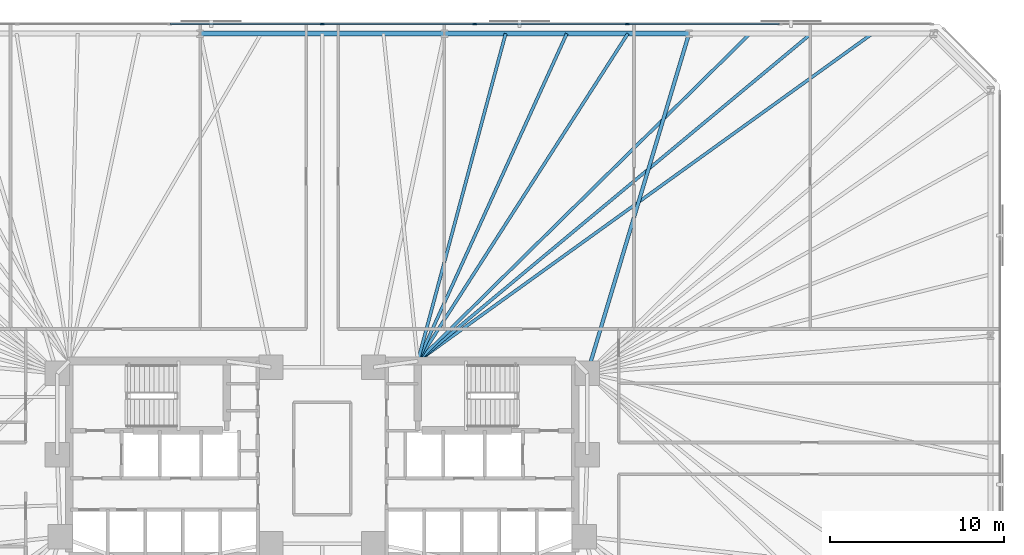
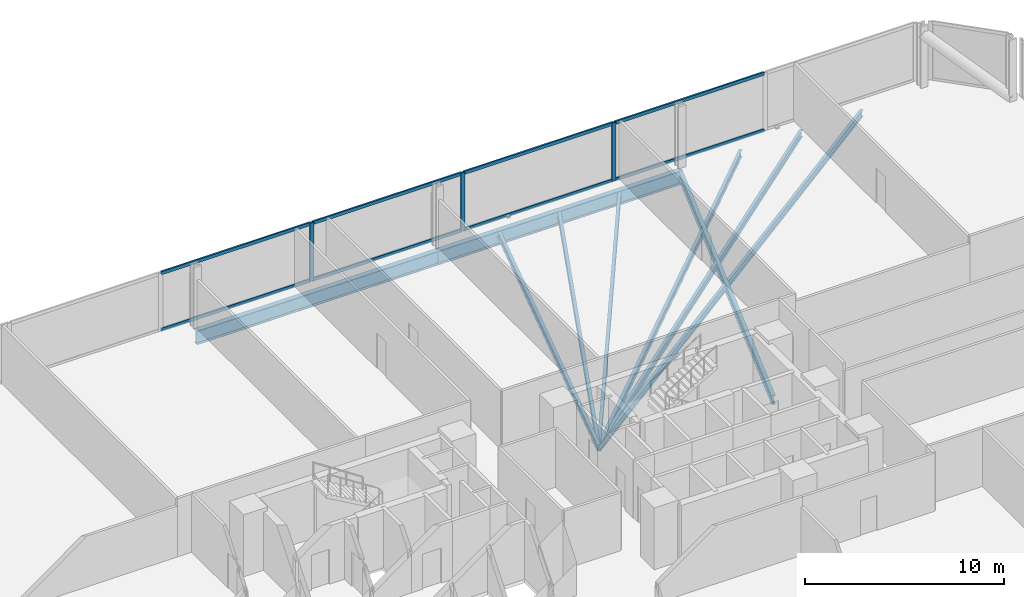
# One storey, part 9 of 17: 11 members, 9 beams, 1 element without a shape of its own.
"""IFC4 building model written with IfcOpenShell, lengths in metres."""

from ifc_helpers import new_model, si_unit, direction, frame, origin, origin_2d, place, context, subcontext, project, spatial, rectangle, i_section, extrude, material, material_profile, profile_set, type_object, element, aggregate, save


model = new_model("IFC4")

# Units and contexts
model_context = context("Model", 3, precision=1e-05, world=origin(), true_north=direction((0.0, 1.0)))
body_context = subcontext(model_context, "Body", "Model", "MODEL_VIEW")
ifc_project = project(units=[si_unit("LENGTHUNIT", "METRE"), si_unit("AREAUNIT", "SQUARE_METRE"), si_unit("VOLUMEUNIT", "CUBIC_METRE"), si_unit("PLANEANGLEUNIT", "RADIAN"), si_unit("MASSUNIT", "GRAM", prefix="KILO")], contexts=[model_context])

# Site, building, storey
site_placement = place(None, origin())
site = spatial("IfcSite", under=ifc_project, at=site_placement, CompositionType="ELEMENT")
building_placement = place(site_placement, origin())
building = spatial("IfcBuilding", under=site, at=building_placement, Name="Menara Jurai Vektor", CompositionType="ELEMENT")
storey_placement = place(building_placement, frame((0.0, 0.0, 52.199951171875)))
storey = spatial("IfcBuildingStorey", under=building, at=storey_placement, Name="L12", CompositionType="ELEMENT", Elevation=52.199951171875)

# Curtain wall, members
ifc_material_1 = material(Name="Anodised Pale Aluminium & Low-E Double Glazing", Category="aluminium")
curtain_wall_type = type_object("IfcCurtainWallType", Name="CW-BLK1", PredefinedType="NOTDEFINED", material=ifc_material_1)
curtain_wall_placement = place(storey_placement, origin())
curtain_wall = element("IfcCurtainWall", 1, at=curtain_wall_placement, inside=storey, type_object=curtain_wall_type, Name="Unitised Curtain Wall L12 F05", PredefinedType="NOTDEFINED")
ifc_material_2 = material(Name="Anodised Pale Aluminium Mullion", Category="aluminium")
ifc_material_profile_1 = material_profile(ifc_material_2, rectangle(XDim=0.094970703125, YDim=0.239990234375, at=origin_2d()), Name="ALU MUL 95x240")
ifc_profile_set_1 = profile_set([ifc_material_profile_1], Name="Anodised Pale Aluminium Mullion")
member_type_1 = type_object("IfcMemberType", Name="CW-BLK1-MUL", PredefinedType="MULLION", material=ifc_profile_set_1)
member_1_placement = place(storey_placement, frame((17.56005859375, 25.0, 0.0), z_axis=(0.0, 0.0, 1.0), x_axis=(0.0, -1.0, 0.0)))
member_1 = element("IfcMember", 2, at=member_1_placement, type_object=member_type_1, Name="CW-01 mullion 3", PredefinedType="MULLION", context=body_context, shape_type="SweptSolid", body=[
    extrude(rectangle(XDim=0.094970703125, YDim=0.239990234375, at=origin_2d()), origin(), (0.0, 0.0, 1.0), 3.574951171875),
])
member_2_placement = place(storey_placement, frame((8.780029296875, 25.0, 0.0), z_axis=(0.0, 0.0, 1.0), x_axis=(0.0, -1.0, 0.0)))
member_2 = element("IfcMember", 3, at=member_2_placement, type_object=member_type_1, Name="CW-01 mullion 4", PredefinedType="MULLION", context=body_context, shape_type="SweptSolid", body=[
    extrude(rectangle(XDim=0.094970703125, YDim=0.239990234375, at=origin_2d()), origin(), (0.0, 0.0, 1.0), 3.574951171875),
])
member_3_placement = place(storey_placement, frame((0.0, 25.0, 0.0), z_axis=(0.0, 0.0, 1.0), x_axis=(0.0, -1.0, 0.0)))
member_3 = element("IfcMember", 4, at=member_3_placement, type_object=member_type_1, Name="CW-01 mullion 5", PredefinedType="MULLION", context=body_context, shape_type="SweptSolid", body=[
    extrude(rectangle(XDim=0.094970703125, YDim=0.239990234375, at=origin_2d()), origin(), (0.0, 0.0, 1.0), 3.574951171875),
])
ifc_material_3 = material(Name="Anodised Pale Aluminium Transom", Category="aluminium")
ifc_material_profile_2 = material_profile(ifc_material_3, rectangle(XDim=0.094970703125, YDim=0.199951171875, at=origin_2d()), Name="ALU TRN 95x200")
ifc_profile_set_2 = profile_set([ifc_material_profile_2], Name="Anodised Pale Aluminium Transom")
member_type_2 = type_object("IfcMemberType", Name="CW-BLK1-TRN", PredefinedType="USERDEFINED", material=ifc_profile_set_2)
member_4_placement = place(storey_placement, frame((26.29248046875, 25.0, 0.047607421875), z_axis=(-1.0, 0.0, 0.0), x_axis=(0.0, -1.0, 0.0)))
member_4 = element("IfcMember", 5, at=member_4_placement, type_object=member_type_2, Name="CW-01 transom 2.1", ObjectType="TRANSOM", PredefinedType="USERDEFINED", context=body_context, shape_type="SweptSolid", body=[
    extrude(rectangle(XDim=0.094970703125, YDim=0.199951171875, at=origin_2d()), origin(), (0.0, 0.0, 1.0), 8.68505859375),
])
member_5_placement = place(storey_placement, frame((26.29248046875, 25.0, 3.527587890625), z_axis=(-1.0, 0.0, 0.0), x_axis=(0.0, -1.0, 0.0)))
member_5 = element("IfcMember", 6, at=member_5_placement, type_object=member_type_2, Name="CW-01 transom 2.2", ObjectType="TRANSOM", PredefinedType="USERDEFINED", context=body_context, shape_type="SweptSolid", body=[
    extrude(rectangle(XDim=0.094970703125, YDim=0.199951171875, at=origin_2d()), origin(), (0.0, 0.0, 1.0), 8.68505859375),
])
member_6_placement = place(storey_placement, frame((17.512451171875, 25.0, 0.047607421875), z_axis=(-1.0, 0.0, 0.0), x_axis=(0.0, -1.0, 0.0)))
member_6 = element("IfcMember", 7, at=member_6_placement, type_object=member_type_2, Name="CW-01 transom 3.1", ObjectType="TRANSOM", PredefinedType="USERDEFINED", context=body_context, shape_type="SweptSolid", body=[
    extrude(rectangle(XDim=0.094970703125, YDim=0.199951171875, at=origin_2d()), origin(), (0.0, 0.0, 1.0), 8.68505859375),
])
member_7_placement = place(storey_placement, frame((17.512451171875, 25.0, 3.527587890625), z_axis=(-1.0, 0.0, 0.0), x_axis=(0.0, -1.0, 0.0)))
member_7 = element("IfcMember", 8, at=member_7_placement, type_object=member_type_2, Name="CW-01 transom 3.2", ObjectType="TRANSOM", PredefinedType="USERDEFINED", context=body_context, shape_type="SweptSolid", body=[
    extrude(rectangle(XDim=0.094970703125, YDim=0.199951171875, at=origin_2d()), origin(), (0.0, 0.0, 1.0), 8.68505859375),
])
member_8_placement = place(storey_placement, frame((8.732421875, 25.0, 0.047607421875), z_axis=(-1.0, 0.0, 0.0), x_axis=(0.0, -1.0, 0.0)))
member_8 = element("IfcMember", 9, at=member_8_placement, type_object=member_type_2, Name="CW-01 transom 4.1", ObjectType="TRANSOM", PredefinedType="USERDEFINED", context=body_context, shape_type="SweptSolid", body=[
    extrude(rectangle(XDim=0.094970703125, YDim=0.199951171875, at=origin_2d()), origin(), (0.0, 0.0, 1.0), 8.684814453125),
])
member_9_placement = place(storey_placement, frame((8.732421875, 25.0, 3.527587890625), z_axis=(-1.0, 0.0, 0.0), x_axis=(0.0, -1.0, 0.0)))
member_9 = element("IfcMember", 10, at=member_9_placement, type_object=member_type_2, Name="CW-01 transom 4.2", ObjectType="TRANSOM", PredefinedType="USERDEFINED", context=body_context, shape_type="SweptSolid", body=[
    extrude(rectangle(XDim=0.094970703125, YDim=0.199951171875, at=origin_2d()), origin(), (0.0, 0.0, 1.0), 8.684814453125),
])
member_10_placement = place(storey_placement, frame((-0.047607421875, 25.0, 0.047607421875), z_axis=(-1.0, 0.0, 0.0), x_axis=(0.0, -1.0, 0.0)))
member_10 = element("IfcMember", 11, at=member_10_placement, type_object=member_type_2, Name="CW-01 transom 5.1", ObjectType="TRANSOM", PredefinedType="USERDEFINED", context=body_context, shape_type="SweptSolid", body=[
    extrude(rectangle(XDim=0.094970703125, YDim=0.199951171875, at=origin_2d()), origin(), (0.0, 0.0, 1.0), 8.684814453125),
])
member_11_placement = place(storey_placement, frame((-0.047607421875, 25.0, 3.527587890625), z_axis=(-1.0, 0.0, 0.0), x_axis=(0.0, -1.0, 0.0)))
member_11 = element("IfcMember", 12, at=member_11_placement, type_object=member_type_2, Name="CW-01 transom 5.2", ObjectType="TRANSOM", PredefinedType="USERDEFINED", context=body_context, shape_type="SweptSolid", body=[
    extrude(rectangle(XDim=0.094970703125, YDim=0.199951171875, at=origin_2d()), origin(), (0.0, 0.0, 1.0), 8.684814453125),
])
aggregate(curtain_wall, [member_1, member_2, member_3, member_4, member_5, member_6, member_7, member_8, member_9, member_10, member_11])

# Beams
ifc_material_4 = material(Name="Steel S355", Category="steel")
ifc_material_profile_3 = material_profile(ifc_material_4, i_section(OverallWidth=0.2109375, OverallDepth=0.5390625, WebThickness=0.011962890625, FlangeThickness=0.01904296875, FilletRadius=0.012939453125, at=origin_2d()), Name="UKB 533x210x109")
ifc_profile_set_3 = profile_set([ifc_material_profile_3], Name="Steel S355")
beam_type_1 = type_object("IfcBeamType", Name="STR-BM-533", PredefinedType="BEAM", material=ifc_profile_set_3)
beam_1_placement = place(storey_placement, frame((21.106689453125, 24.449951171875, -0.494384765625), z_axis=(-0.286973617166, -0.957938486047, 0.0), x_axis=(0.957938486047, -0.286973617166, 0.0)))
element("IfcBeam", 13, at=beam_1_placement, inside=storey, type_object=beam_type_1, Name="Radial Floor Girder L12-N2", PredefinedType="BEAM", context=body_context, shape_type="SweptSolid", body=[
    extrude(i_section(OverallWidth=0.2109375, OverallDepth=0.5390625, WebThickness=0.011962890625, FlangeThickness=0.01904296875, FilletRadius=0.012939453125, at=origin_2d()), origin(), (0.0, 0.0, 1.0), 20.408447265625),
])
ifc_material_profile_4 = material_profile(ifc_material_4, i_section(OverallWidth=0.178955078125, OverallDepth=0.408935546875, WebThickness=0.009033203125, FlangeThickness=0.013916015625, FilletRadius=0.010009765625, at=origin_2d()), Name="UKB 406x178x67")
ifc_profile_set_4 = profile_set([ifc_material_profile_4], Name="Steel S355")
beam_type_2 = type_object("IfcBeamType", Name="STR-JS-406", PredefinedType="JOIST", material=ifc_profile_set_4)
beam_2_placement = place(storey_placement, frame((31.659912109375, 24.449951171875, -0.429443359375), z_axis=(-0.81131785733, -0.584605280833, 0.0), x_axis=(0.584605280833, -0.81131785733, 0.0)))
element("IfcBeam", 14, at=beam_2_placement, inside=storey, type_object=beam_type_2, Name="Radial Secondary Floor Joist L12-JS16", PredefinedType="JOIST", context=body_context, shape_type="SweptSolid", body=[
    extrude(i_section(OverallWidth=0.178955078125, OverallDepth=0.408935546875, WebThickness=0.009033203125, FlangeThickness=0.013916015625, FilletRadius=0.010009765625, at=origin_2d()), origin(), (0.0, 0.0, 1.0), 32.24365234375),
])
beam_3_placement = place(storey_placement, frame((28.142333984375, 24.449951171875, -0.429443359375), z_axis=(-0.76853431665, -0.639808568347, 0.0), x_axis=(0.639808568347, -0.76853431665, 0.0)))
element("IfcBeam", 15, at=beam_3_placement, inside=storey, type_object=beam_type_2, Name="Radial Secondary Floor Joist L12-JS17", PredefinedType="JOIST", context=body_context, shape_type="SweptSolid", body=[
    extrude(i_section(OverallWidth=0.178955078125, OverallDepth=0.408935546875, WebThickness=0.009033203125, FlangeThickness=0.013916015625, FilletRadius=0.010009765625, at=origin_2d()), origin(), (0.0, 0.0, 1.0), 29.461669921875),
])
beam_4_placement = place(storey_placement, frame((24.62451171875, 24.449951171875, -0.429443359375), z_axis=(-0.712202462998, -0.70197411042, 0.0), x_axis=(0.70197411042, -0.712202462998, 0.0)))
element("IfcBeam", 16, at=beam_4_placement, inside=storey, type_object=beam_type_2, Name="Radial Secondary Floor Joist L12-JS18", PredefinedType="JOIST", context=body_context, shape_type="SweptSolid", body=[
    extrude(i_section(OverallWidth=0.178955078125, OverallDepth=0.408935546875, WebThickness=0.009033203125, FlangeThickness=0.013916015625, FilletRadius=0.010009765625, at=origin_2d()), origin(), (0.0, 0.0, 1.0), 26.8525390625),
])
beam_5_placement = place(storey_placement, frame((17.5888671875, 24.449951171875, -0.429443359375), z_axis=(-0.53984422461, -0.841764939372, 0.0), x_axis=(0.841764939372, -0.53984422461, 0.0)))
element("IfcBeam", 17, at=beam_5_placement, inside=storey, type_object=beam_type_2, Name="Radial Secondary Floor Joist L12-JS19", PredefinedType="JOIST", context=body_context, shape_type="SweptSolid", body=[
    extrude(i_section(OverallWidth=0.178955078125, OverallDepth=0.408935546875, WebThickness=0.009033203125, FlangeThickness=0.013916015625, FilletRadius=0.010009765625, at=origin_2d()), origin(), (0.0, 0.0, 1.0), 22.393310546875),
])
beam_6_placement = place(storey_placement, frame((14.071044921875, 24.449951171875, -0.429443359375), z_axis=(-0.413920197297, -0.910313171535, 0.0), x_axis=(0.910313171535, -0.413920197297, 0.0)))
element("IfcBeam", 18, at=beam_6_placement, inside=storey, type_object=beam_type_2, Name="Radial Secondary Floor Joist L12-JS20", PredefinedType="JOIST", context=body_context, shape_type="SweptSolid", body=[
    extrude(i_section(OverallWidth=0.178955078125, OverallDepth=0.408935546875, WebThickness=0.009033203125, FlangeThickness=0.013916015625, FilletRadius=0.010009765625, at=origin_2d()), origin(), (0.0, 0.0, 1.0), 20.70703125),
])
beam_7_placement = place(storey_placement, frame((10.55322265625, 24.449951171875, -0.429443359375), z_axis=(-0.258934723238, -0.965894823002, 0.0), x_axis=(0.965894823002, -0.258934723238, 0.0)))
element("IfcBeam", 19, at=beam_7_placement, inside=storey, type_object=beam_type_2, Name="Radial Secondary Floor Joist L12-JS21", PredefinedType="JOIST", context=body_context, shape_type="SweptSolid", body=[
    extrude(i_section(OverallWidth=0.178955078125, OverallDepth=0.408935546875, WebThickness=0.009033203125, FlangeThickness=0.013916015625, FilletRadius=0.010009765625, at=origin_2d()), origin(), (0.0, 0.0, 1.0), 19.515380859375),
])
ifc_material_5 = material(Name="Steel S460", Category="steel")
ifc_material_profile_5 = material_profile(ifc_material_5, i_section(OverallWidth=0.2939453125, OverallDepth=0.85107421875, WebThickness=0.01611328125, FlangeThickness=0.027099609375, FilletRadius=0.01806640625, at=origin_2d()), Name="UKB 838x292x226")
ifc_profile_set_5 = profile_set([ifc_material_profile_5], Name="Steel S460")
beam_type_3 = type_object("IfcBeamType", Name="STR-SP-838", PredefinedType="SPANDREL", material=ifc_profile_set_5)
beam_8_placement = place(storey_placement, frame((21.106689453125, 24.449951171875, -0.650390625), z_axis=(-1.0, 0.0, 0.0), x_axis=(0.0, -1.0, 0.0)))
element("IfcBeam", 20, at=beam_8_placement, inside=storey, type_object=beam_type_3, Name="Exoskeleton Spandrel Beam L12-12", PredefinedType="SPANDREL", context=body_context, shape_type="SweptSolid", body=[
    extrude(i_section(OverallWidth=0.2939453125, OverallDepth=0.85107421875, WebThickness=0.01611328125, FlangeThickness=0.027099609375, FilletRadius=0.01806640625, at=origin_2d()), origin(), (0.0, 0.0, 1.0), 14.071044921875),
])
beam_9_placement = place(storey_placement, frame((7.03564453125, 24.449951171875, -0.650390625), z_axis=(-1.0, 0.0, 0.0), x_axis=(0.0, -1.0, 0.0)))
element("IfcBeam", 21, at=beam_9_placement, inside=storey, type_object=beam_type_3, Name="Exoskeleton Spandrel Beam L12-13", PredefinedType="SPANDREL", context=body_context, shape_type="SweptSolid", body=[
    extrude(i_section(OverallWidth=0.2939453125, OverallDepth=0.85107421875, WebThickness=0.01611328125, FlangeThickness=0.027099609375, FilletRadius=0.01806640625, at=origin_2d()), origin(), (0.0, 0.0, 1.0), 14.0712890625),
])

save(model, "model.ifc")
